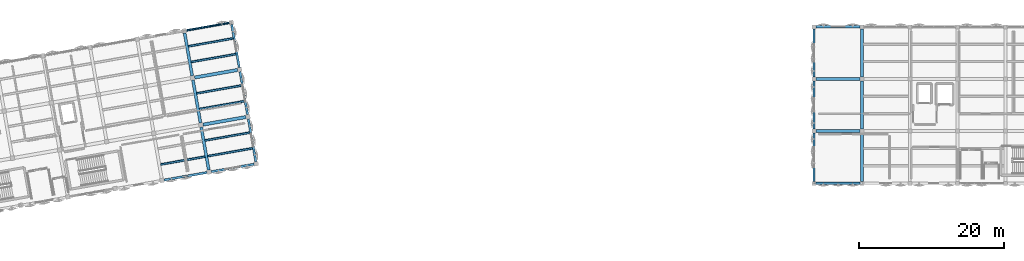
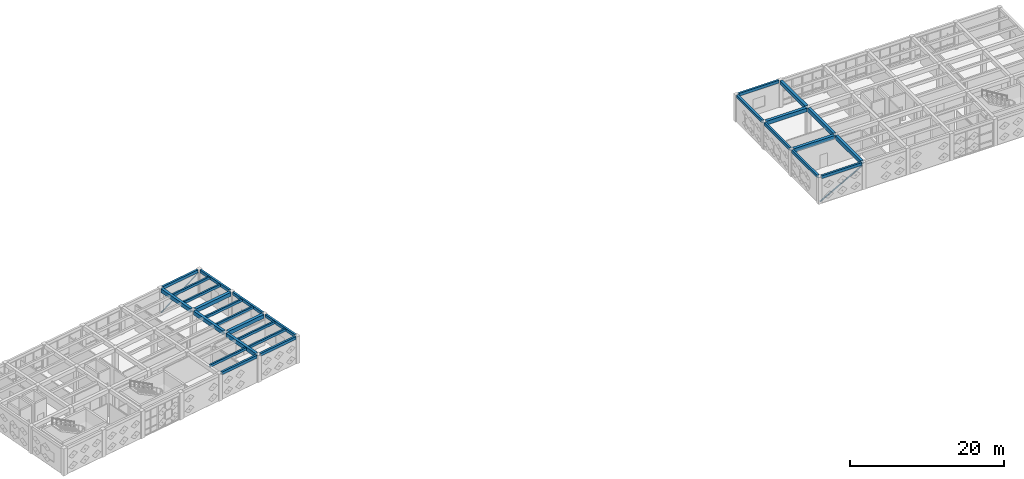
# One storey, part 9 of 36: 28 beams, 2 members.
"""IFC4 building model written with IfcOpenShell, lengths in metres."""

from ifc_helpers import new_model, si_unit, direction, frame, origin, origin_2d, place, context, subcontext, project, spatial, rectangle, hollow_rectangle, extrude, material, material_profile, profile_set, type_object, element, save


model = new_model("IFC4")

# Units and contexts
model_context = context("Model", 3, precision=1e-05, world=origin(), true_north=direction((0.0, 1.0)))
body_context = subcontext(model_context, "Body", "Model", "MODEL_VIEW")
ifc_project = project(units=[si_unit("LENGTHUNIT", "METRE"), si_unit("AREAUNIT", "SQUARE_METRE"), si_unit("VOLUMEUNIT", "CUBIC_METRE"), si_unit("PLANEANGLEUNIT", "RADIAN"), si_unit("MASSUNIT", "GRAM", prefix="KILO")], contexts=[model_context])

# Site, building, storey
site_placement = place(None, origin())
site = spatial("IfcSite", under=ifc_project, at=site_placement, CompositionType="ELEMENT")
building_placement = place(site_placement, origin())
building = spatial("IfcBuilding", under=site, at=building_placement, Name="Kharisveld Research Institute", CompositionType="ELEMENT")
storey_placement = place(building_placement, frame((0.0, 0.0, 27.60009765625)))
storey = spatial("IfcBuildingStorey", under=building, at=storey_placement, Name="L06", CompositionType="ELEMENT", Elevation=27.60009765625)

# Beams
ifc_material_1 = material(Name="Concrete C40/50", Category="concrete")
ifc_material_profile_1 = material_profile(ifc_material_1, rectangle(XDim=0.39990234375, YDim=0.60009765625, at=origin_2d()))
ifc_profile_set_1 = profile_set([ifc_material_profile_1], Name="Concrete C40/50")
beam_type_1 = type_object("IfcBeamType", Name="BM_RC_400x600", PredefinedType="BEAM", material=ifc_profile_set_1)
for number, where, z_axis, x_axis, name in (
    (1, (37.646484375, 41.035888671875, 4.02001953125), (-0.173629803561, 0.984810992686, 0.0), (-0.984810992686, -0.173629803561, 0.0), "BM:V1:L06:V5_0"),
    (2, (36.50048828125, 47.53564453125, 4.02001953125), (-0.173669267716, 0.984804034035, 0.0), (-0.984804034035, -0.173669267716, 0.0), "BM:V1:L06:V5_1"),
    (3, (35.3544921875, 54.035400390625, 4.02001953125), (-0.173669267716, 0.984804034035, 0.0), (-0.984804034035, -0.173669267716, 0.0), "BM:V1:L06:V5_2"),
):
    element("IfcBeam", number, at=place(storey_placement, frame(where, z_axis=z_axis, x_axis=x_axis)), inside=storey, type_object=beam_type_1, Name=name, PredefinedType="BEAM", context=body_context, shape_type="SweptSolid", body=[
        extrude(rectangle(XDim=0.39990234375, YDim=0.60009765625, at=origin_2d()), origin(), (0.0, 0.0, 1.0), 5.999755859375),
    ])
for number, where, z_axis, x_axis, name in (
    (4, (127.800048828125, 39.47509765625, 4.0), (0.0, 1.0, 0.0), (-1.0, 0.0, 0.0), "BM:V2:L06:V2_0"),
    (5, (127.800048828125, 46.675048828125, 4.0), (0.0, 1.0, 0.0), (-1.0, 0.0, 0.0), "BM:V2:L06:V2_1"),
    (6, (127.800048828125, 53.875, 4.0), (0.0, 1.0, 0.0), (-1.0, 0.0, 0.0), "BM:V2:L06:V2_2"),
):
    element("IfcBeam", number, at=place(storey_placement, frame(where, z_axis=z_axis, x_axis=x_axis)), inside=storey, type_object=beam_type_1, Name=name, PredefinedType="BEAM", context=body_context, shape_type="SweptSolid", body=[
        extrude(rectangle(XDim=0.39990234375, YDim=0.60009765625, at=origin_2d()), origin(), (0.0, 0.0, 1.0), 6.64990234375),
    ])
ifc_material_2 = material(Name="Concrete C40/50", Category="concrete")
ifc_material_profile_2 = material_profile(ifc_material_2, rectangle(XDim=0.449951171875, YDim=0.60009765625, at=origin_2d()))
ifc_profile_set_2 = profile_set([ifc_material_profile_2], Name="Concrete C40/50")
beam_type_2 = type_object("IfcBeamType", Name="BM_RC_450x600", PredefinedType="BEAM", material=ifc_profile_set_2)
for number, where, z_axis, x_axis, name in (
    (7, (36.847900390625, 47.292236328125, 4.02001953125), (0.984812219346, 0.173622845926, 0.0), (-0.173622845926, 0.984812219346, 0.0), "BM:V1:L06:U5_1"),
    (8, (35.701904296875, 53.7919921875, 4.02001953125), (0.984812219346, 0.173622845926, 0.0), (-0.173622845926, 0.984812219346, 0.0), "BM:V1:L06:U5_2"),
):
    element("IfcBeam", number, at=place(storey_placement, frame(where, z_axis=z_axis, x_axis=x_axis)), inside=storey, type_object=beam_type_2, Name=name, PredefinedType="BEAM", context=body_context, shape_type="SweptSolid", body=[
        extrude(rectangle(XDim=0.449951171875, YDim=0.60009765625, at=origin_2d()), origin(), (0.0, 0.0, 1.0), 6.0),
    ])
for number, where, z_axis, x_axis, name in (
    (9, (121.47509765625, 46.39990234375, 4.0), (1.0, 0.0, 0.0), (0.0, 1.0, 0.0), "BM:V2:L06:U1_1"),
    (10, (121.47509765625, 53.60009765625, 4.0), (1.0, 0.0, 0.0), (0.0, 1.0, 0.0), "BM:V2:L06:U1_2"),
):
    element("IfcBeam", number, at=place(storey_placement, frame(where, z_axis=z_axis, x_axis=x_axis)), inside=storey, type_object=beam_type_2, Name=name, PredefinedType="BEAM", context=body_context, shape_type="SweptSolid", body=[
        extrude(rectangle(XDim=0.449951171875, YDim=0.60009765625, at=origin_2d()), origin(), (0.0, 0.0, 1.0), 6.0498046875),
    ])

# Members
ifc_material_3 = material(Name="Steel S355J2H", Category="steel")
ifc_material_profile_3 = material_profile(ifc_material_3, hollow_rectangle(XDim=0.1201171875, YDim=0.1201171875, WallThickness=0.00634765625, at=origin_2d()))
ifc_profile_set_3 = profile_set([ifc_material_profile_3], Name="Steel S355J2H")
member_type_1 = type_object("IfcMemberType", Name="BR_SHS120", PredefinedType="BRACE", material=ifc_profile_set_3)
member_1_placement = place(storey_placement, frame((34.35888671875, 60.2568359375, 0.199951171875), z_axis=(0.860042392117, 0.151680082558, 0.48715524868), x_axis=(-0.173683053068, 0.984801602901, 0.0)))
element("IfcMember", 11, at=member_1_placement, inside=storey, type_object=member_type_1, Name="MEM:V1:L06:BR_5_3", PredefinedType="BRACE", context=body_context, shape_type="SweptSolid", body=[
    extrude(hollow_rectangle(XDim=0.1201171875, YDim=0.1201171875, WallThickness=0.00634765625, at=origin_2d()), origin(), (0.0, 0.0, 1.0), 7.328369140625),
])
ifc_material_4 = material(Name="Steel S355J2H", Category="steel")
ifc_material_profile_4 = material_profile(ifc_material_4, hollow_rectangle(XDim=0.14990234375, YDim=0.14990234375, WallThickness=0.008056640625, at=origin_2d()))
ifc_profile_set_4 = profile_set([ifc_material_profile_4], Name="Steel S355J2H")
member_type_2 = type_object("IfcMemberType", Name="BR_SHS150", PredefinedType="BRACE", material=ifc_profile_set_4)
member_2_placement = place(storey_placement, frame((121.300048828125, 39.199951171875, 0.199951171875), z_axis=(0.87447337202, 0.0, 0.485073521879), x_axis=(0.0, 1.0, 0.0)))
element("IfcMember", 12, at=member_2_placement, inside=storey, type_object=member_type_2, Name="MEM:V2:L06:BR_1_0", PredefinedType="BRACE", context=body_context, shape_type="SweptSolid", body=[
    extrude(hollow_rectangle(XDim=0.14990234375, YDim=0.14990234375, WallThickness=0.008056640625, at=origin_2d()), origin(), (0.0, 0.0, 1.0), 7.318603515625),
])

# Beams
ifc_material_5 = material(Name="Concrete C40/50", Category="concrete")
ifc_material_profile_5 = material_profile(ifc_material_5, rectangle(XDim=0.300048828125, YDim=0.449951171875, at=origin_2d()))
ifc_profile_set_5 = profile_set([ifc_material_profile_5], Name="Concrete C40/50")
beam_type_3 = type_object("IfcBeamType", Name="SP_RC_300x450", PredefinedType="SPANDREL", material=ifc_profile_set_5)
beam_1_placement = place(storey_placement, frame((31.494384765625, 39.646484375, 4.094970703125), z_axis=(0.984812219346, 0.173622845926, 0.0), x_axis=(-0.173622845926, 0.984812219346, 0.0)))
element("IfcBeam", 13, at=beam_1_placement, inside=storey, type_object=beam_type_3, Name="BM:V1:L06:U4_0", PredefinedType="SPANDREL", context=body_context, shape_type="SweptSolid", body=[
    extrude(rectangle(XDim=0.300048828125, YDim=0.449951171875, at=origin_2d()), origin(), (0.0, 0.0, 1.0), 6.0),
])
for number, where, z_axis, x_axis, name in (
    (14, (37.994140625, 40.79248046875, 4.094970703125), (0.984804034035, 0.173669267716, 0.0), (-0.173669267716, 0.984804034035, 0.0), "BM:V1:L06:U5_0"),
    (15, (34.555908203125, 60.291748046875, 4.094970703125), (0.984810992686, 0.173629803561, 0.0), (-0.173629803561, 0.984810992686, 0.0), "BM:V1:L06:U5_3"),
):
    element("IfcBeam", number, at=place(storey_placement, frame(where, z_axis=z_axis, x_axis=x_axis)), inside=storey, type_object=beam_type_3, Name=name, PredefinedType="SPANDREL", context=body_context, shape_type="SweptSolid", body=[
        extrude(rectangle(XDim=0.300048828125, YDim=0.449951171875, at=origin_2d()), origin(), (0.0, 0.0, 1.0), 5.999755859375),
    ])
for number, where, z_axis, x_axis, name in (
    (16, (44.146240234375, 42.181884765625, 4.094970703125), (-0.173622845926, 0.984812219346, 0.0), (-0.984812219346, -0.173622845926, 0.0), "BM:V1:L06:V6_0"),
    (17, (43.000244140625, 48.681640625, 4.094970703125), (-0.173662308598, 0.984805261243, 0.0), (-0.984805261243, -0.173662308598, 0.0), "BM:V1:L06:V6_1"),
    (18, (41.854248046875, 55.181396484375, 4.094970703125), (-0.173662308598, 0.984805261243, 0.0), (-0.984805261243, -0.173662308598, 0.0), "BM:V1:L06:V6_2"),
):
    element("IfcBeam", number, at=place(storey_placement, frame(where, z_axis=z_axis, x_axis=x_axis)), inside=storey, type_object=beam_type_3, Name=name, PredefinedType="SPANDREL", context=body_context, shape_type="SweptSolid", body=[
        extrude(rectangle(XDim=0.300048828125, YDim=0.449951171875, at=origin_2d()), origin(), (0.0, 0.0, 1.0), 6.0),
    ])
for number, where, z_axis, x_axis, name in (
    (19, (121.47509765625, 39.199951171875, 4.074951171875), (1.0, 0.0, 0.0), (0.0, 1.0, 0.0), "BM:V2:L06:U1_0"),
    (20, (121.47509765625, 60.800048828125, 4.074951171875), (1.0, 0.0, 0.0), (0.0, 1.0, 0.0), "BM:V2:L06:U1_3"),
):
    element("IfcBeam", number, at=place(storey_placement, frame(where, z_axis=z_axis, x_axis=x_axis)), inside=storey, type_object=beam_type_3, Name=name, PredefinedType="SPANDREL", context=body_context, shape_type="SweptSolid", body=[
        extrude(rectangle(XDim=0.300048828125, YDim=0.449951171875, at=origin_2d()), origin(), (0.0, 0.0, 1.0), 6.0498046875),
    ])
for number, where, z_axis, x_axis, name in (
    (21, (121.199951171875, 39.47509765625, 4.074951171875), (0.0, 1.0, 0.0), (-1.0, 0.0, 0.0), "BM:V2:L06:V1_0"),
    (22, (121.199951171875, 46.675048828125, 4.074951171875), (0.0, 1.0, 0.0), (-1.0, 0.0, 0.0), "BM:V2:L06:V1_1"),
    (23, (121.199951171875, 53.875, 4.074951171875), (0.0, 1.0, 0.0), (-1.0, 0.0, 0.0), "BM:V2:L06:V1_2"),
):
    element("IfcBeam", number, at=place(storey_placement, frame(where, z_axis=z_axis, x_axis=x_axis)), inside=storey, type_object=beam_type_3, Name=name, PredefinedType="SPANDREL", context=body_context, shape_type="SweptSolid", body=[
        extrude(rectangle(XDim=0.300048828125, YDim=0.449951171875, at=origin_2d()), origin(), (0.0, 0.0, 1.0), 6.64990234375),
    ])
ifc_material_6 = material(Name="Concrete C40/50", Category="concrete")
ifc_material_profile_6 = material_profile(ifc_material_6, rectangle(XDim=0.25, YDim=0.39990234375, at=origin_2d()))
ifc_profile_set_6 = profile_set([ifc_material_profile_6], Name="Concrete C40/50")
beam_type_4 = type_object("IfcBeamType", Name="WB_RC_250x400", PredefinedType="JOIST", material=ifc_profile_set_6)
beam_2_placement = place(storey_placement, frame((31.013916015625, 41.795654296875, 4.119873046875), z_axis=(0.984806146634, 0.173657287643, 0.0), x_axis=(-0.173657287643, 0.984806146634, 0.0)))
element("IfcBeam", 24, at=beam_2_placement, inside=storey, type_object=beam_type_4, Name="BM:V1:L06:J_4_0_R1", PredefinedType="JOIST", context=body_context, shape_type="SweptSolid", body=[
    extrude(rectangle(XDim=0.25, YDim=0.39990234375, at=origin_2d()), origin(), (0.0, 0.0, 1.0), 6.199951171875),
])
for number, where, z_axis, x_axis, name in (
    (25, (37.513671875, 42.941650390625, 4.119873046875), (0.984803607817, 0.173671684596, 0.0), (-0.173671684596, 0.984803607817, 0.0), "BM:V1:L06:J_5_0_R1"),
    (26, (37.131591796875, 45.108154296875, 4.119873046875), (0.984803607817, 0.173671684596, 0.0), (-0.173671684596, 0.984803607817, 0.0), "BM:V1:L06:J_5_0_R2"),
    (27, (36.367431640625, 49.44140625, 4.119873046875), (0.984810288083, 0.17363379995, 0.0), (-0.17363379995, 0.984810288083, 0.0), "BM:V1:L06:J_5_1_R1"),
    (28, (35.985595703125, 51.60791015625, 4.119873046875), (0.984803607817, 0.173671684596, 0.0), (-0.173671684596, 0.984803607817, 0.0), "BM:V1:L06:J_5_1_R2"),
    (29, (35.221435546875, 55.941162109375, 4.119873046875), (0.984810288083, 0.17363379995, 0.0), (-0.17363379995, 0.984810288083, 0.0), "BM:V1:L06:J_5_2_R1"),
    (30, (34.83935546875, 58.107666015625, 4.119873046875), (0.984803607817, 0.173671684596, 0.0), (-0.173671684596, 0.984803607817, 0.0), "BM:V1:L06:J_5_2_R2"),
):
    element("IfcBeam", number, at=place(storey_placement, frame(where, z_axis=z_axis, x_axis=x_axis)), inside=storey, type_object=beam_type_4, Name=name, PredefinedType="JOIST", context=body_context, shape_type="SweptSolid", body=[
        extrude(rectangle(XDim=0.25, YDim=0.39990234375, at=origin_2d()), origin(), (0.0, 0.0, 1.0), 6.25),
    ])

save(model, "model.ifc")
